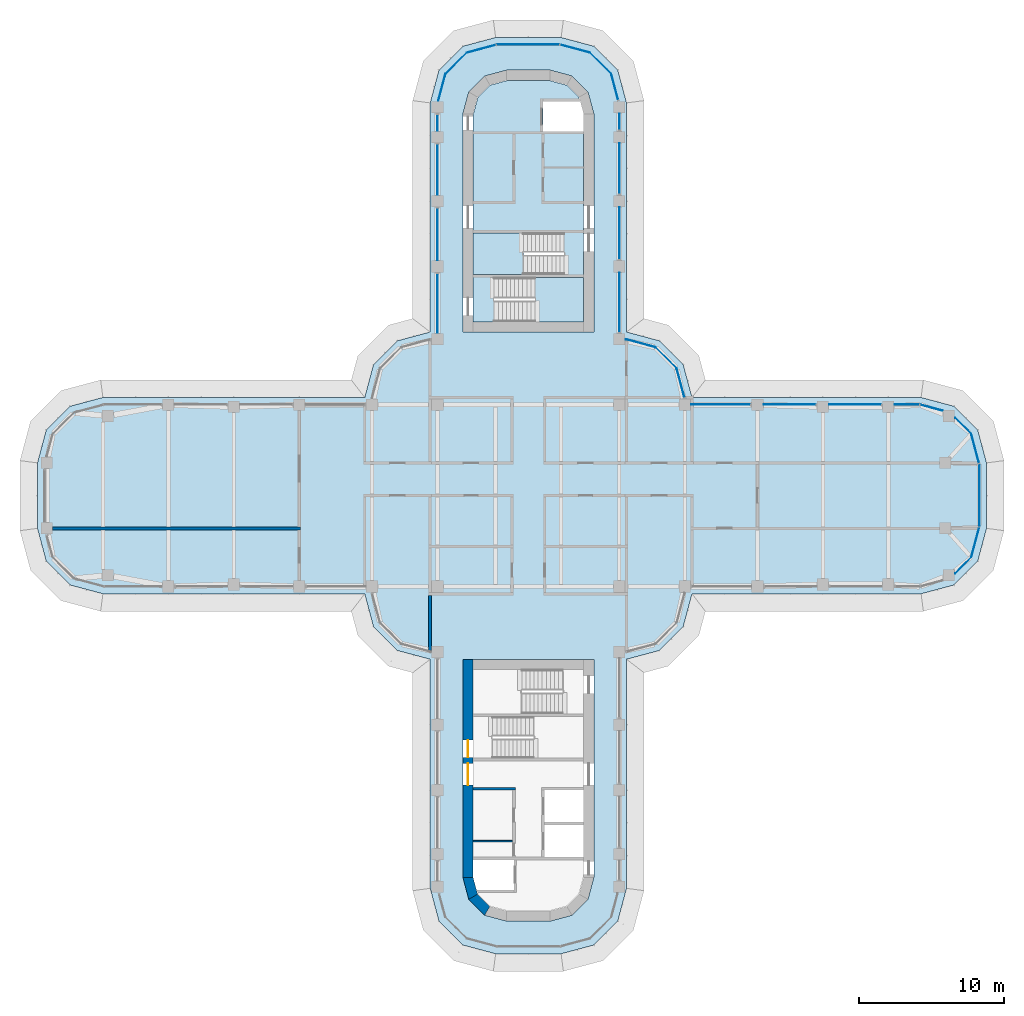
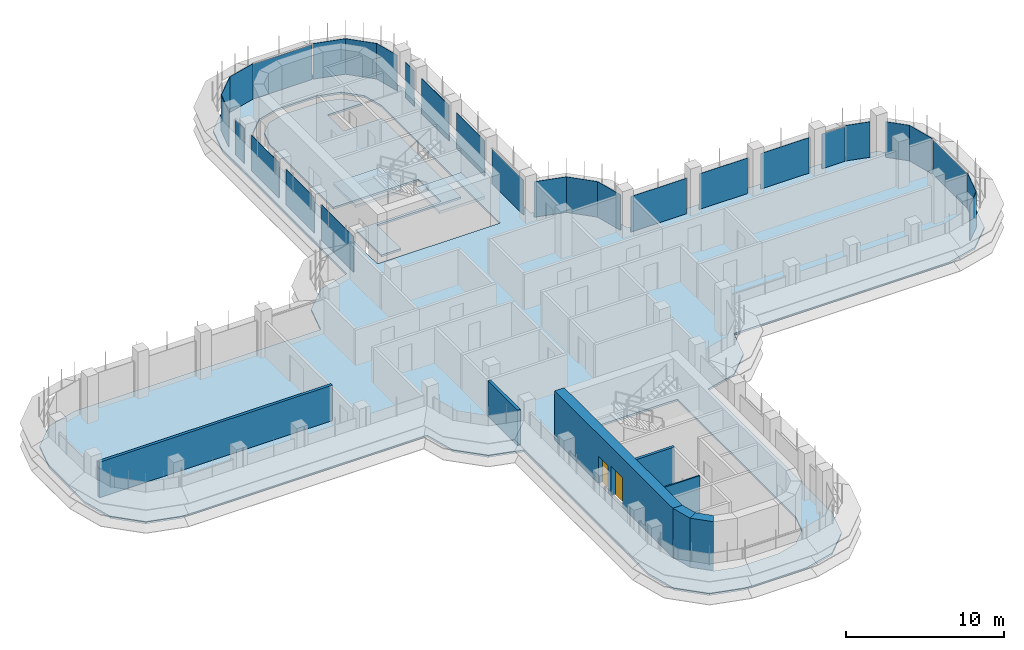
# One storey, part 12 of 19: 28 plates, 7 walls, 4 slabs, 2 doors, 2 openings, 21 elements without a shape of their own.
"""IFC4 building model written with IfcOpenShell, lengths in metres."""

from ifc_helpers import new_model, si_unit, direction, frame, frame_2d, origin, place, context, subcontext, project, spatial, polyline, rectangle, outline, extrude, source, transform, mapped, material, layer, layer_set, type_object, element, fill, aggregate, save


model = new_model("IFC4")

# Units and contexts
model_context = context("Model", 3, precision=1e-05, world=origin(), true_north=direction((0.0, 1.0)))
body_context = subcontext(model_context, "Body", "Model", "MODEL_VIEW")
ifc_project = project(units=[si_unit("LENGTHUNIT", "METRE"), si_unit("AREAUNIT", "SQUARE_METRE"), si_unit("VOLUMEUNIT", "CUBIC_METRE"), si_unit("PLANEANGLEUNIT", "RADIAN"), si_unit("MASSUNIT", "GRAM", prefix="KILO")], contexts=[model_context])

# Site, building, storey
site_placement = place(None, origin())
site = spatial("IfcSite", under=ifc_project, at=site_placement, CompositionType="ELEMENT")
building_placement = place(site_placement, origin())
building = spatial("IfcBuilding", under=site, at=building_placement, Name="Zarbagh Exchange Tower", CompositionType="ELEMENT")
storey_placement = place(building_placement, frame((0.0, 0.0, 182.800048828125)))
storey = spatial("IfcBuildingStorey", under=building, at=storey_placement, Name="L44", CompositionType="ELEMENT", Elevation=182.800048828125)

# Slabs
ifc_material_1 = material(Name="Concrete C40/50", Category="concrete")
ifc_layer_1 = layer(ifc_material_1, 0.14990234375)
ifc_layer_set_1 = layer_set([ifc_layer_1], Name="Composite floor slab 150 C40/50")
slab_type_1 = type_object("IfcSlabType", Name="Composite floor slab 150 C40/50", PredefinedType="FLOOR", material=ifc_layer_set_1)
slab_1_placement = place(storey_placement, frame((0.0, 0.0, -0.150146484375)))
element("IfcSlab", 1, at=slab_1_placement, inside=storey, type_object=slab_type_1, Name="S5 composite floor slab", PredefinedType="FLOOR", context=body_context, shape_type="SweptSolid", body=[
    extrude(outline(polyline([(-2.25, -31.5), (-4.5, -30.897216796875), (-6.147216796875, -29.25), (-6.75, -27.0), (-6.75, -11.25), (-9.0, -10.647216796875), (-10.647216796875, -9.0), (-11.25, -6.75), (-29.25, -6.75), (-31.5, -6.147216796875), (-33.147216796875, -4.5), (-33.75, -2.25), (-33.75, 2.25), (-33.147216796875, 4.5), (-31.5, 6.147216796875), (-29.25, 6.75), (-11.25, 6.75), (-10.647216796875, 9.0), (-9.0, 10.647216796875), (-6.75, 11.25), (-6.75, 27.0), (-6.147216796875, 29.25), (-4.5, 30.897216796875), (-2.25, 31.5), (2.25, 31.5), (4.5, 30.897216796875), (6.147216796875, 29.25), (6.75, 27.0), (6.75, 11.25), (9.0, 10.647216796875), (10.647216796875, 9.0), (11.25, 6.75), (27.0, 6.75), (29.25, 6.147216796875), (30.897216796875, 4.5), (31.5, 2.25), (31.5, -2.25), (30.897216796875, -4.5), (29.25, -6.147216796875), (27.0, -6.75), (11.25, -6.75), (10.647216796875, -9.0), (9.0, -10.647216796875), (6.75, -11.25), (6.75, -27.0), (6.147216796875, -29.25), (4.5, -30.897216796875), (2.25, -31.5), (-2.25, -31.5)]), holes=[polyline([(4.5, 11.25), (4.5, 26.25), (4.09814453125, 27.75), (3.0, 28.84814453125), (1.5, 29.25), (-1.5, 29.25), (-3.0, 28.84814453125), (-4.09814453125, 27.75), (-4.5, 26.25), (-4.5, 11.25), (4.5, 11.25)]), polyline([(-1.5, -29.25), (1.5, -29.25), (3.0, -28.84814453125), (4.09814453125, -27.75), (4.5, -26.25), (4.5, -11.25), (-4.5, -11.25), (-4.5, -26.25), (-4.09814453125, -27.75), (-3.0, -28.84814453125), (-1.5, -29.25)])]), origin(), (0.0, 0.0, 1.0), 0.150146484375),
])
ifc_layer_2 = layer(ifc_material_1, 0.14990234375)
ifc_layer_set_2 = layer_set([ifc_layer_2], Name="Core floor slab 150 C40/50")
slab_type_2 = type_object("IfcSlabType", Name="Core floor slab 150 C40/50", PredefinedType="FLOOR", material=ifc_layer_set_2)
slab_2_placement = place(storey_placement, frame((0.0, 0.0, -0.150146484375)))
element("IfcSlab", 2, at=slab_2_placement, inside=storey, type_object=slab_type_2, Name="S17 core N", PredefinedType="FLOOR", context=body_context, shape_type="SweptSolid", body=[
    extrude(outline(polyline([(-3.800048828125, 11.949951171875), (-3.800048828125, 15.199951171875), (2.449951171875, 15.199951171875), (2.449951171875, 18.050048828125), (-3.800048828125, 18.050048828125), (-3.800048828125, 26.15771484375), (-3.470458984375, 27.3876953125), (-2.6376953125, 28.220458984375), (-1.40771484375, 28.550048828125), (1.40771484375, 28.550048828125), (2.6376953125, 28.220458984375), (3.470458984375, 27.3876953125), (3.800048828125, 26.15771484375), (3.800048828125, 26.15771484375), (3.547607421875, 27.10009765625), (1.0, 27.10009765625), (1.0, 25.050048828125), (3.800048828125, 25.050048828125), (3.800048828125, 15.0), (-2.35009765625, 15.0), (-2.35009765625, 11.949951171875), (-3.800048828125, 11.949951171875)])), origin(), (0.0, 0.0, 1.0), 0.150146484375),
])

# Stair, slab
stair_type = type_object("IfcStairType", Name="Exit stair two-flight half-turn", PredefinedType="HALF_TURN_STAIR", material=ifc_material_1)
stair_1_placement = place(storey_placement, origin())
stair_1 = element("IfcStair", 3, at=stair_1_placement, inside=storey, type_object=stair_type, Name="exit stair ST1", PredefinedType="HALF_TURN_STAIR")
ifc_layer_3 = layer(ifc_material_1, 0.199951171875)
ifc_layer_set_3 = layer_set([ifc_layer_3], Name="Stair landing 200 mm")
slab_type_3 = type_object("IfcSlabType", Name="Stair landing 200 mm", PredefinedType="LANDING", material=ifc_layer_set_3)
slab_3_placement = place(storey_placement, frame((0.0, 0.0, 1.699951171875)))
slab_3 = element("IfcSlab", 4, at=slab_3_placement, type_object=slab_type_3, Name="ST1 landing 1", PredefinedType="LANDING", context=body_context, shape_type="SweptSolid", body=[
    extrude(outline(polyline([(-0.35009765625, 18.050048828125), (-3.800048828125, 18.050048828125), (-3.800048828125, 15.199951171875), (-0.35009765625, 15.199951171875), (-0.35009765625, 18.050048828125)])), origin(), (0.0, 0.0, 1.0), 0.199951171875),
])
aggregate(stair_1, [slab_3])

stair_2_placement = place(storey_placement, origin())
stair_2 = element("IfcStair", 5, at=stair_2_placement, inside=storey, type_object=stair_type, Name="exit stair ST2", PredefinedType="HALF_TURN_STAIR")
slab_4_placement = place(storey_placement, frame((0.0, 0.0, 1.699951171875)))
slab_4 = element("IfcSlab", 6, at=slab_4_placement, type_object=slab_type_3, Name="ST2 landing 1", PredefinedType="LANDING", context=body_context, shape_type="SweptSolid", body=[
    extrude(outline(polyline([(0.449951171875, 11.949951171875), (3.800048828125, 11.949951171875), (3.800048828125, 15.0), (0.449951171875, 15.0), (0.449951171875, 11.949951171875)])), origin(), (0.0, 0.0, 1.0), 0.199951171875),
])
aggregate(stair_2, [slab_4])

# Curtain wall, plate
ifc_material_2 = material(Name="Anodised aluminium frame and glazing", Category="aluminium")
curtain_wall_type = type_object("IfcCurtainWallType", Name="CWB Ribbon glazing, upper zones", PredefinedType="NOTDEFINED", material=ifc_material_2)
curtain_wall_1_placement = place(storey_placement, origin())
curtain_wall_1 = element("IfcCurtainWall", 7, at=curtain_wall_1_placement, inside=storey, type_object=curtain_wall_type, Name="CWB18 curtain wall", PredefinedType="NOTDEFINED")
ifc_material_3 = material(Name="Low-e double glazed unit, 6+12+6 mm")
ifc_layer_4 = layer(ifc_material_3, 0.031982421875)
ifc_layer_set_4 = layer_set([ifc_layer_4], Name="PAB Glazing panel, Low-e double glazed unit, 6+12+6 mm")
plate_type = type_object("IfcPlateType", Name="PAB Glazing panel, Low-e double glazed unit, 6+12+6 mm", PredefinedType="CURTAIN_PANEL", material=ifc_layer_set_4)
shared_shape_1 = source(origin(), body_context, "Body", "SweptSolid", [
    extrude(outline(polyline([(0.0, -0.01611328125), (2.061279296875, -0.01611328125), (2.061279296875, 0.01611328125), (0.0, 0.01611328125), (0.0, -0.01611328125)])), origin(), (0.0, 0.0, 1.0), 2.75),
])
placement = place(storey_placement, origin())
plate_1 = element("IfcPlate", 8, at=placement, type_object=plate_type, Name="CWB18 glazing panel 1.1", PredefinedType="CURTAIN_PANEL", context=body_context, shape_type="MappedRepresentation", body=[
    mapped(shared_shape_1, transform((10.19873046875, 8.7412109375, 0.0), x_axis=(-0.707106781187, 0.707106781187, 0.0), y_axis=(-0.707106781187, -0.707106781187, 0.0), z_axis=(0.0, 0.0, 1.0))),
])
aggregate(curtain_wall_1, [plate_1])

curtain_wall_2_placement = place(storey_placement, origin())
curtain_wall_2 = element("IfcCurtainWall", 9, at=curtain_wall_2_placement, inside=storey, type_object=curtain_wall_type, Name="CWB22 curtain wall", PredefinedType="NOTDEFINED")
plate_2 = element("IfcPlate", 10, at=placement, type_object=plate_type, Name="CWB22 glazing panel 1.1", PredefinedType="CURTAIN_PANEL", context=body_context, shape_type="MappedRepresentation", body=[
    mapped(shared_shape_1, transform((5.69873046875, 28.9912109375, 0.0), x_axis=(-0.707106781187, 0.707106781187, 0.0), y_axis=(-0.707106781187, -0.707106781187, 0.0), z_axis=(0.0, 0.0, 1.0))),
])
aggregate(curtain_wall_2, [plate_2])

curtain_wall_3_placement = place(storey_placement, origin())
curtain_wall_3 = element("IfcCurtainWall", 11, at=curtain_wall_3_placement, inside=storey, type_object=curtain_wall_type, Name="CWB26 curtain wall", PredefinedType="NOTDEFINED")
plate_3 = element("IfcPlate", 12, at=placement, type_object=plate_type, Name="CWB26 glazing panel 1.1", PredefinedType="CURTAIN_PANEL", context=body_context, shape_type="MappedRepresentation", body=[
    mapped(shared_shape_1, transform((-4.2412109375, 30.44873046875, 0.0), x_axis=(-0.707106781187, -0.707106781187, 0.0), y_axis=(0.707106781187, -0.707106781187, 0.0), z_axis=(0.0, 0.0, 1.0))),
])
aggregate(curtain_wall_3, [plate_3])

curtain_wall_4_placement = place(storey_placement, origin())
curtain_wall_4 = element("IfcCurtainWall", 13, at=curtain_wall_4_placement, inside=storey, type_object=curtain_wall_type, Name="CWB11 curtain wall", PredefinedType="NOTDEFINED")
shared_shape_2 = source(origin(), body_context, "Body", "SweptSolid", [
    extrude(outline(polyline([(0.0, -0.01611328125), (2.129638671875, -0.01611328125), (2.129638671875, 0.01611328125), (0.0, 0.01611328125), (0.0, -0.01611328125)])), origin(), (0.0, 0.0, 1.0), 2.75),
])
plate_4 = element("IfcPlate", 14, at=placement, type_object=plate_type, Name="CWB11 glazing panel 1.1", PredefinedType="CURTAIN_PANEL", context=body_context, shape_type="MappedRepresentation", body=[
    mapped(shared_shape_2, transform((30.44873046875, -4.2412109375, 0.0), x_axis=(0.258824779902, 0.965924289636, 0.0), y_axis=(-0.965924289636, 0.258824779902, 0.0), z_axis=(0.0, 0.0, 1.0))),
])
aggregate(curtain_wall_4, [plate_4])

curtain_wall_5_placement = place(storey_placement, origin())
curtain_wall_5 = element("IfcCurtainWall", 15, at=curtain_wall_5_placement, inside=storey, type_object=curtain_wall_type, Name="CWB23 curtain wall", PredefinedType="NOTDEFINED")
plate_5 = element("IfcPlate", 16, at=placement, type_object=plate_type, Name="CWB23 glazing panel 1.1", PredefinedType="CURTAIN_PANEL", context=body_context, shape_type="MappedRepresentation", body=[
    mapped(shared_shape_2, transform((4.2412109375, 30.44873046875, 0.0), x_axis=(-0.965924289636, 0.258824779902, 0.0), y_axis=(-0.258824779902, -0.965924289636, 0.0), z_axis=(0.0, 0.0, 1.0))),
])
aggregate(curtain_wall_5, [plate_5])

curtain_wall_6_placement = place(storey_placement, origin())
curtain_wall_6 = element("IfcCurtainWall", 17, at=curtain_wall_6_placement, inside=storey, type_object=curtain_wall_type, Name="CWB20 curtain wall", PredefinedType="NOTDEFINED")
shared_shape_3 = source(origin(), body_context, "Body", "SweptSolid", [
    extrude(outline(polyline([(0.0, -0.01611328125), (3.4599609375, -0.01611328125), (3.4599609375, 0.01611328125), (0.0, 0.01611328125), (0.0, -0.01611328125)])), origin(), (0.0, 0.0, 1.0), 2.75),
])
plate_6 = element("IfcPlate", 18, at=placement, type_object=plate_type, Name="CWB20 glazing panel 3.1", PredefinedType="CURTAIN_PANEL", context=body_context, shape_type="MappedRepresentation", body=[
    mapped(shared_shape_3, transform((6.25, 20.75, 0.0), x_axis=(0.0, 1.0, 0.0), y_axis=(-1.0, 0.0, 0.0), z_axis=(0.0, 0.0, 1.0))),
])

curtain_wall_7_placement = place(storey_placement, origin())
curtain_wall_7 = element("IfcCurtainWall", 19, at=curtain_wall_7_placement, inside=storey, type_object=curtain_wall_type, Name="CWB28 curtain wall", PredefinedType="NOTDEFINED")
plate_7 = element("IfcPlate", 20, at=placement, type_object=plate_type, Name="CWB28 glazing panel 2.1", PredefinedType="CURTAIN_PANEL", context=body_context, shape_type="MappedRepresentation", body=[
    mapped(shared_shape_3, transform((-6.25, 24.14990234375, 0.0), x_axis=(0.0, -1.0, 0.0), y_axis=(1.0, 0.0, 0.0), z_axis=(0.0, 0.0, 1.0))),
])

# Curtain wall, plates
curtain_wall_8_placement = place(storey_placement, origin())
curtain_wall_8 = element("IfcCurtainWall", 21, at=curtain_wall_8_placement, inside=storey, type_object=curtain_wall_type, Name="CWB16 curtain wall", PredefinedType="NOTDEFINED")
shared_shape_4 = source(origin(), body_context, "Body", "SweptSolid", [
    extrude(outline(polyline([(0.0, -0.01611328125), (3.56005859375, -0.01611328125), (3.56005859375, 0.01611328125), (0.0, 0.01611328125), (0.0, -0.01611328125)])), origin(), (0.0, 0.0, 1.0), 2.75),
])
plate_8 = element("IfcPlate", 22, at=placement, type_object=plate_type, Name="CWB16 glazing panel 2.1", PredefinedType="CURTAIN_PANEL", context=body_context, shape_type="MappedRepresentation", body=[
    mapped(shared_shape_4, transform((24.25, 6.25, 0.0), x_axis=(-1.0, 0.0, 0.0), y_axis=(0.0, -1.0, 0.0), z_axis=(0.0, 0.0, 1.0))),
])
plate_9 = element("IfcPlate", 23, at=placement, type_object=plate_type, Name="CWB16 glazing panel 3.1", PredefinedType="CURTAIN_PANEL", context=body_context, shape_type="MappedRepresentation", body=[
    mapped(shared_shape_4, transform((19.75, 6.25, 0.0), x_axis=(-1.0, 0.0, 0.0), y_axis=(0.0, -1.0, 0.0), z_axis=(0.0, 0.0, 1.0))),
])

# Plate
plate_10 = element("IfcPlate", 24, at=placement, type_object=plate_type, Name="CWB20 glazing panel 2.1", PredefinedType="CURTAIN_PANEL", context=body_context, shape_type="MappedRepresentation", body=[
    mapped(shared_shape_4, transform((6.25, 16.25, 0.0), x_axis=(0.0, 1.0, 0.0), y_axis=(-1.0, 0.0, 0.0), z_axis=(0.0, 0.0, 1.0))),
])

plate_11 = element("IfcPlate", 25, at=placement, type_object=plate_type, Name="CWB28 glazing panel 3.1", PredefinedType="CURTAIN_PANEL", context=body_context, shape_type="MappedRepresentation", body=[
    mapped(shared_shape_4, transform((-6.25, 19.75, 0.0), x_axis=(0.0, -1.0, 0.0), y_axis=(1.0, 0.0, 0.0), z_axis=(0.0, 0.0, 1.0))),
])

shared_shape_5 = source(origin(), body_context, "Body", "SweptSolid", [
    extrude(outline(polyline([(0.0, -0.01611328125), (4.06005859375, -0.01611328125), (4.06005859375, 0.01611328125), (0.0, 0.01611328125), (0.0, -0.01611328125)])), origin(), (0.0, 0.0, 1.0), 2.75),
])
plate_12 = element("IfcPlate", 26, at=placement, type_object=plate_type, Name="CWB16 glazing panel 4.1", PredefinedType="CURTAIN_PANEL", context=body_context, shape_type="MappedRepresentation", body=[
    mapped(shared_shape_5, transform((15.25, 6.25, 0.0), x_axis=(-1.0, 0.0, 0.0), y_axis=(0.0, -1.0, 0.0), z_axis=(0.0, 0.0, 1.0))),
])

plate_13 = element("IfcPlate", 27, at=placement, type_object=plate_type, Name="CWB28 glazing panel 4.1", PredefinedType="CURTAIN_PANEL", context=body_context, shape_type="MappedRepresentation", body=[
    mapped(shared_shape_5, transform((-6.25, 15.25, 0.0), x_axis=(0.0, -1.0, 0.0), y_axis=(1.0, 0.0, 0.0), z_axis=(0.0, 0.0, 1.0))),
])

# Curtain wall, plate
curtain_wall_9_placement = place(storey_placement, origin())
curtain_wall_9 = element("IfcCurtainWall", 28, at=curtain_wall_9_placement, inside=storey, type_object=curtain_wall_type, Name="CWB17 curtain wall", PredefinedType="NOTDEFINED")
shared_shape_6 = source(origin(), body_context, "Body", "SweptSolid", [
    extrude(outline(polyline([(0.0, -0.01611328125), (2.063720703125, -0.01611328125), (2.063720703125, 0.01611328125), (0.0, 0.01611328125), (0.0, -0.01611328125)])), origin(), (0.0, 0.0, 1.0), 2.75),
])
plate_14 = element("IfcPlate", 29, at=placement, type_object=plate_type, Name="CWB17 glazing panel 1.1", PredefinedType="CURTAIN_PANEL", context=body_context, shape_type="MappedRepresentation", body=[
    mapped(shared_shape_6, transform((10.73291015625, 6.748046875, 0.0), x_axis=(-0.258824779902, 0.965924289636, 0.0), y_axis=(-0.965924289636, -0.258824779902, 0.0), z_axis=(0.0, 0.0, 1.0))),
])
aggregate(curtain_wall_9, [plate_14])

curtain_wall_10_placement = place(storey_placement, origin())
curtain_wall_10 = element("IfcCurtainWall", 30, at=curtain_wall_10_placement, inside=storey, type_object=curtain_wall_type, Name="CWB19 curtain wall", PredefinedType="NOTDEFINED")
shared_shape_7 = source(origin(), body_context, "Body", "SweptSolid", [
    extrude(outline(polyline([(0.0, -0.01611328125), (2.12353515625, -0.01611328125), (2.12353515625, 0.01611328125), (0.0, 0.01611328125), (0.0, -0.01611328125)])), origin(), (0.0, 0.0, 1.0), 2.75),
])
plate_15 = element("IfcPlate", 31, at=placement, type_object=plate_type, Name="CWB19 glazing panel 1.1", PredefinedType="CURTAIN_PANEL", context=body_context, shape_type="MappedRepresentation", body=[
    mapped(shared_shape_7, transform((8.7412109375, 10.19873046875, 0.0), x_axis=(-0.965924289636, 0.258824779902, 0.0), y_axis=(-0.258824779902, -0.965924289636, 0.0), z_axis=(0.0, 0.0, 1.0))),
])
aggregate(curtain_wall_10, [plate_15])

# Plate
shared_shape_8 = source(origin(), body_context, "Body", "SweptSolid", [
    extrude(outline(polyline([(0.0, -0.01611328125), (4.06005859375, -0.01611328125), (4.06005859375, 0.01611328125), (0.0, 0.01611328125), (0.0, -0.01611328125)])), origin(), (0.0, 0.0, 1.0), 2.68994140625),
])
plate_16 = element("IfcPlate", 32, at=placement, type_object=plate_type, Name="CWB20 glazing panel 1.1", PredefinedType="CURTAIN_PANEL", context=body_context, shape_type="MappedRepresentation", body=[
    mapped(shared_shape_8, transform((6.25, 11.25, 0.0), x_axis=(0.0, 1.0, 0.0), y_axis=(-1.0, 0.0, 0.0), z_axis=(0.0, 0.0, 1.0))),
])

# Curtain wall, plate
curtain_wall_11_placement = place(storey_placement, origin())
curtain_wall_11 = element("IfcCurtainWall", 33, at=curtain_wall_11_placement, inside=storey, type_object=curtain_wall_type, Name="CWB10 curtain wall", PredefinedType="NOTDEFINED")
shared_shape_9 = source(origin(), body_context, "Body", "SweptSolid", [
    extrude(outline(polyline([(0.0, -0.01611328125), (1.556884765625, -0.01611328125), (1.556884765625, 0.01611328125), (0.0, 0.01611328125), (0.0, -0.01611328125)])), origin(), (0.0, 0.0, 1.0), 2.75),
])
plate_17 = element("IfcPlate", 34, at=placement, type_object=plate_type, Name="CWB10 glazing panel 1.1", PredefinedType="CURTAIN_PANEL", context=body_context, shape_type="MappedRepresentation", body=[
    mapped(shared_shape_9, transform((29.347900390625, -5.342041015625, 0.0), x_axis=(0.707106781187, 0.707106781187, 0.0), y_axis=(-0.707106781187, 0.707106781187, 0.0), z_axis=(0.0, 0.0, 1.0))),
])
aggregate(curtain_wall_11, [plate_17])

curtain_wall_12_placement = place(storey_placement, origin())
curtain_wall_12 = element("IfcCurtainWall", 35, at=curtain_wall_12_placement, inside=storey, type_object=curtain_wall_type, Name="CWB14 curtain wall", PredefinedType="NOTDEFINED")
plate_18 = element("IfcPlate", 36, at=placement, type_object=plate_type, Name="CWB14 glazing panel 1.1", PredefinedType="CURTAIN_PANEL", context=body_context, shape_type="MappedRepresentation", body=[
    mapped(shared_shape_9, transform((30.44873046875, 4.2412109375, 0.0), x_axis=(-0.707106781187, 0.707106781187, 0.0), y_axis=(-0.707106781187, -0.707106781187, 0.0), z_axis=(0.0, 0.0, 1.0))),
])
aggregate(curtain_wall_12, [plate_18])

curtain_wall_13_placement = place(storey_placement, origin())
curtain_wall_13 = element("IfcCurtainWall", 37, at=curtain_wall_13_placement, inside=storey, type_object=curtain_wall_type, Name="CWB12 curtain wall", PredefinedType="NOTDEFINED")
shared_shape_10 = source(origin(), body_context, "Body", "SweptSolid", [
    extrude(outline(polyline([(0.0, -0.01611328125), (4.308349609375, -0.01611328125), (4.308349609375, 0.01611328125), (0.0, 0.01611328125), (0.0, -0.01611328125)])), origin(), (0.0, 0.0, 1.0), 2.68994140625),
])
plate_19 = element("IfcPlate", 38, at=placement, type_object=plate_type, Name="CWB12 glazing panel 1.1", PredefinedType="CURTAIN_PANEL", context=body_context, shape_type="MappedRepresentation", body=[
    mapped(shared_shape_10, transform((31.0, -2.124267578125, 0.0), x_axis=(0.0, 1.0, 0.0), y_axis=(-1.0, 0.0, 0.0), z_axis=(0.0, 0.0, 1.0))),
])
aggregate(curtain_wall_13, [plate_19])

curtain_wall_14_placement = place(storey_placement, origin())
curtain_wall_14 = element("IfcCurtainWall", 39, at=curtain_wall_14_placement, inside=storey, type_object=curtain_wall_type, Name="CWB24 curtain wall", PredefinedType="NOTDEFINED")
plate_20 = element("IfcPlate", 40, at=placement, type_object=plate_type, Name="CWB24 glazing panel 1.1", PredefinedType="CURTAIN_PANEL", context=body_context, shape_type="MappedRepresentation", body=[
    mapped(shared_shape_10, transform((2.124267578125, 31.0, 0.0), x_axis=(-1.0, 0.0, 0.0), y_axis=(0.0, -1.0, 0.0), z_axis=(0.0, 0.0, 1.0))),
])
aggregate(curtain_wall_14, [plate_20])

curtain_wall_15_placement = place(storey_placement, origin())
curtain_wall_15 = element("IfcCurtainWall", 41, at=curtain_wall_15_placement, inside=storey, type_object=curtain_wall_type, Name="CWB13 curtain wall", PredefinedType="NOTDEFINED")
shared_shape_11 = source(origin(), body_context, "Body", "SweptSolid", [
    extrude(outline(polyline([(0.0, -0.01611328125), (2.069580078125, -0.01611328125), (2.069580078125, 0.01611328125), (0.0, 0.01611328125), (0.0, -0.01611328125)])), origin(), (0.0, 0.0, 1.0), 2.75),
])
plate_21 = element("IfcPlate", 42, at=placement, type_object=plate_type, Name="CWB13 glazing panel 1.1", PredefinedType="CURTAIN_PANEL", context=body_context, shape_type="MappedRepresentation", body=[
    mapped(shared_shape_11, transform((30.984375, 2.2421875, 0.0), x_axis=(-0.258824779902, 0.965924289636, 0.0), y_axis=(-0.965924289636, -0.258824779902, 0.0), z_axis=(0.0, 0.0, 1.0))),
])
aggregate(curtain_wall_15, [plate_21])

curtain_wall_16_placement = place(storey_placement, origin())
curtain_wall_16 = element("IfcCurtainWall", 43, at=curtain_wall_16_placement, inside=storey, type_object=curtain_wall_type, Name="CWB25 curtain wall", PredefinedType="NOTDEFINED")
plate_22 = element("IfcPlate", 44, at=placement, type_object=plate_type, Name="CWB25 glazing panel 1.1", PredefinedType="CURTAIN_PANEL", context=body_context, shape_type="MappedRepresentation", body=[
    mapped(shared_shape_11, transform((-2.2421875, 30.984375, 0.0), x_axis=(-0.965924289636, -0.258824779902, 0.0), y_axis=(0.258824779902, -0.965924289636, 0.0), z_axis=(0.0, 0.0, 1.0))),
])
aggregate(curtain_wall_16, [plate_22])

curtain_wall_17_placement = place(storey_placement, origin())
curtain_wall_17 = element("IfcCurtainWall", 45, at=curtain_wall_17_placement, inside=storey, type_object=curtain_wall_type, Name="CWB15 curtain wall", PredefinedType="NOTDEFINED")
shared_shape_12 = source(origin(), body_context, "Body", "SweptSolid", [
    extrude(outline(polyline([(0.0, -0.01611328125), (1.587890625, -0.01611328125), (1.587890625, 0.01611328125), (0.0, 0.01611328125), (0.0, -0.01611328125)])), origin(), (0.0, 0.0, 1.0), 2.75),
])
plate_23 = element("IfcPlate", 46, at=placement, type_object=plate_type, Name="CWB15 glazing panel 1.1", PredefinedType="CURTAIN_PANEL", context=body_context, shape_type="MappedRepresentation", body=[
    mapped(shared_shape_12, transform((28.468017578125, 5.839111328125, 0.0), x_axis=(-0.965924289636, 0.258824779902, 0.0), y_axis=(-0.258824779902, -0.965924289636, 0.0), z_axis=(0.0, 0.0, 1.0))),
])
aggregate(curtain_wall_17, [plate_23])

# Plate
shared_shape_13 = source(origin(), body_context, "Body", "SweptSolid", [
    extrude(outline(polyline([(0.0, -0.01611328125), (1.68408203125, -0.01611328125), (1.68408203125, 0.01611328125), (0.0, 0.01611328125), (0.0, -0.01611328125)])), origin(), (0.0, 0.0, 1.0), 2.68994140625),
])
plate_24 = element("IfcPlate", 47, at=placement, type_object=plate_type, Name="CWB16 glazing panel 1.1", PredefinedType="CURTAIN_PANEL", context=body_context, shape_type="MappedRepresentation", body=[
    mapped(shared_shape_13, transform((26.874267578125, 6.25, 0.0), x_axis=(-1.0, 0.0, 0.0), y_axis=(0.0, -1.0, 0.0), z_axis=(0.0, 0.0, 1.0))),
])

aggregate(curtain_wall_8, [plate_24, plate_8, plate_9, plate_12])

shared_shape_14 = source(origin(), body_context, "Body", "SweptSolid", [
    extrude(outline(polyline([(0.0, -0.01611328125), (1.110107421875, -0.01611328125), (1.110107421875, 0.01611328125), (0.0, 0.01611328125), (0.0, -0.01611328125)])), origin(), (0.0, 0.0, 1.0), 2.75),
])
plate_25 = element("IfcPlate", 48, at=placement, type_object=plate_type, Name="CWB20 glazing panel 4.1", PredefinedType="CURTAIN_PANEL", context=body_context, shape_type="MappedRepresentation", body=[
    mapped(shared_shape_14, transform((6.25, 25.150146484375, 0.0), x_axis=(0.0, 1.0, 0.0), y_axis=(-1.0, 0.0, 0.0), z_axis=(0.0, 0.0, 1.0))),
])

aggregate(curtain_wall_6, [plate_16, plate_10, plate_6, plate_25])

# Curtain wall, plate
curtain_wall_18_placement = place(storey_placement, origin())
curtain_wall_18 = element("IfcCurtainWall", 49, at=curtain_wall_18_placement, inside=storey, type_object=curtain_wall_type, Name="CWB21 curtain wall", PredefinedType="NOTDEFINED")
shared_shape_15 = source(origin(), body_context, "Body", "SweptSolid", [
    extrude(outline(polyline([(0.0, -0.01611328125), (1.8564453125, -0.01611328125), (1.8564453125, 0.01611328125), (0.0, 0.01611328125), (0.0, -0.01611328125)])), origin(), (0.0, 0.0, 1.0), 2.75),
])
plate_26 = element("IfcPlate", 50, at=placement, type_object=plate_type, Name="CWB21 glazing panel 1.1", PredefinedType="CURTAIN_PANEL", context=body_context, shape_type="MappedRepresentation", body=[
    mapped(shared_shape_15, transform((6.17919921875, 27.197998046875, 0.0), x_axis=(-0.258824779902, 0.965924289636, 0.0), y_axis=(-0.965924289636, -0.258824779902, 0.0), z_axis=(0.0, 0.0, 1.0))),
])
aggregate(curtain_wall_18, [plate_26])

curtain_wall_19_placement = place(storey_placement, origin())
curtain_wall_19 = element("IfcCurtainWall", 51, at=curtain_wall_19_placement, inside=storey, type_object=curtain_wall_type, Name="CWB27 curtain wall", PredefinedType="NOTDEFINED")
shared_shape_16 = source(origin(), body_context, "Body", "SweptSolid", [
    extrude(outline(polyline([(0.0, -0.01611328125), (1.91650390625, -0.01611328125), (1.91650390625, 0.01611328125), (0.0, 0.01611328125), (0.0, -0.01611328125)])), origin(), (0.0, 0.0, 1.0), 2.75),
])
plate_27 = element("IfcPlate", 52, at=placement, type_object=plate_type, Name="CWB27 glazing panel 1.1", PredefinedType="CURTAIN_PANEL", context=body_context, shape_type="MappedRepresentation", body=[
    mapped(shared_shape_16, transform((-5.69873046875, 28.9912109375, 0.0), x_axis=(-0.258824779902, -0.965924289636, 0.0), y_axis=(0.965924289636, -0.258824779902, 0.0), z_axis=(0.0, 0.0, 1.0))),
])
aggregate(curtain_wall_19, [plate_27])

# Plate
shared_shape_17 = source(origin(), body_context, "Body", "SweptSolid", [
    extrude(outline(polyline([(0.0, -0.01611328125), (1.110107421875, -0.01611328125), (1.110107421875, 0.01611328125), (0.0, 0.01611328125), (0.0, -0.01611328125)])), origin(), (0.0, 0.0, 1.0), 2.68994140625),
])
plate_28 = element("IfcPlate", 53, at=placement, type_object=plate_type, Name="CWB28 glazing panel 1.1", PredefinedType="CURTAIN_PANEL", context=body_context, shape_type="MappedRepresentation", body=[
    mapped(shared_shape_17, transform((-6.25, 26.199951171875, 0.0), x_axis=(0.0, -1.0, 0.0), y_axis=(1.0, 0.0, 0.0), z_axis=(0.0, 0.0, 1.0))),
])

aggregate(curtain_wall_7, [plate_28, plate_7, plate_11, plate_13])

# Walls
ifc_material_4 = material(Name="Dense blockwork", Category="masonry")
ifc_layer_5 = layer(ifc_material_4, 0.10009765625)
ifc_layer_set_5 = layer_set([ifc_layer_5], Name="Core partition 100 mm blockwork")
wall_type_1 = type_object("IfcWallType", Name="Core partition 100 mm blockwork", PredefinedType="PARTITIONING", material=ifc_layer_set_5)
wall_1_placement = place(storey_placement, frame((-1.10009765625, -23.75, 0.0), z_axis=(0.0, 0.0, 1.0), x_axis=(-1.0, 0.0, 0.0)))
element("IfcWall", 54, at=wall_1_placement, inside=storey, type_object=wall_type_1, Name="South core partition wall CUT-E-460", PredefinedType="PARTITIONING", context=body_context, shape_type="SweptSolid", body=[
    extrude(rectangle(XDim=2.699951171875, YDim=0.10009765625, at=frame_2d((1.35009765625, 0.0))), origin(), (0.0, 0.0, 1.0), 3.64990234375),
])
ifc_material_5 = material(Name="Fire-rated plasterboard partition")
ifc_layer_6 = layer(ifc_material_5, 0.199951171875)
ifc_layer_set_6 = layer_set([ifc_layer_6], Name="RATED PARTITION 200")
wall_type_2 = type_object("IfcWallType", Name="RATED PARTITION 200", PredefinedType="PARTITIONING", material=ifc_layer_set_6)
wall_2_placement = place(storey_placement, frame((-6.75, -10.6298828125, 0.0), z_axis=(0.0, 0.0, 1.0), x_axis=(0.0, 1.0, 0.0)))
element("IfcWall", 55, at=wall_2_placement, inside=storey, type_object=wall_type_2, Name="Partition W-1922", PredefinedType="PARTITIONING", context=body_context, shape_type="SweptSolid", body=[
    extrude(rectangle(XDim=3.77978515625, YDim=0.199951171875, at=frame_2d((1.889892578125, 0.0))), origin(), (0.0, 0.0, 1.0), 2.75),
])
wall_3_placement = place(storey_placement, frame((-32.7099609375, -2.25, 0.0), z_axis=(0.0, 0.0, 1.0), x_axis=(1.0, 0.0, 0.0)))
element("IfcWall", 56, at=wall_3_placement, inside=storey, type_object=wall_type_2, Name="Partition W-1946", PredefinedType="PARTITIONING", context=body_context, shape_type="SweptSolid", body=[
    extrude(rectangle(XDim=17.06005859375, YDim=0.199951171875, at=frame_2d((8.530029296875, 0.0))), origin(), (0.0, 0.0, 1.0), 2.75),
])
ifc_material_6 = material(Name="Concrete C50/60", Category="concrete")
ifc_layer_7 = layer(ifc_material_6, 0.699951171875)
ifc_layer_set_7 = layer_set([ifc_layer_7], Name="RC core corner wall 700 C50/60")
wall_type_3 = type_object("IfcWallType", Name="RC core corner wall 700 C50/60", PredefinedType="SHEAR", material=ifc_layer_set_7)
wall_4_placement = place(storey_placement, origin())
element("IfcWall", 57, at=wall_4_placement, inside=storey, type_object=wall_type_3, Name="CW6 core S corner W", PredefinedType="SHEAR", context=body_context, shape_type="SweptSolid", body=[
    extrude(outline(polyline([(-4.5, -26.25), (-4.09814453125, -27.75), (-3.491943359375, -27.39990234375), (-3.800048828125, -26.25), (-4.5, -26.25)])), origin(), (0.0, 0.0, 1.0), 3.800048828125),
])
wall_5_placement = place(storey_placement, origin())
element("IfcWall", 58, at=wall_5_placement, inside=storey, type_object=wall_type_3, Name="CW6 core S corner W", PredefinedType="SHEAR", context=body_context, shape_type="SweptSolid", body=[
    extrude(outline(polyline([(-4.09814453125, -27.75), (-3.0, -28.84814453125), (-2.64990234375, -28.241943359375), (-3.491943359375, -27.39990234375), (-4.09814453125, -27.75)])), origin(), (0.0, 0.0, 1.0), 3.800048828125),
])

# Wall, openings, doors
ifc_layer_8 = layer(ifc_material_6, 0.699951171875)
ifc_layer_set_8 = layer_set([ifc_layer_8], Name="RC core wall 700 C50/60")
wall_type_4 = type_object("IfcWallType", Name="RC core wall 700 C50/60", PredefinedType="SHEAR", material=ifc_layer_set_8)
wall_6_placement = place(storey_placement, frame((-4.14990234375, -11.25, 0.0), z_axis=(0.0, 0.0, 1.0), x_axis=(0.0, -1.0, 0.0)))
wall_6 = element("IfcWall", 59, at=wall_6_placement, inside=storey, type_object=wall_type_4, Name="CW5 core S W", PredefinedType="SHEAR", context=body_context, shape_type="SweptSolid", body=[
    extrude(rectangle(XDim=15.0, YDim=0.699951171875, at=frame_2d((7.5, 0.0))), origin(), (0.0, 0.0, 1.0), 3.800048828125),
])
opening_1_placement = place(wall_6_placement, frame((7.14990234375, 0.0, 0.0)))
opening_1 = element("IfcOpeningElement", 60, at=opening_1_placement, cuts=wall_6, Name="Opening CD1-1500", PredefinedType="OPENING", context=body_context, shape_type="SweptSolid", body=[
    extrude(rectangle(XDim=1.5, YDim=2.300048828125, at=frame_2d((0.75, 1.14990234375))), frame((0.0, 0.35986328125, 0.0), z_axis=(0.0, -1.0, 0.0), x_axis=(1.0, 0.0, 0.0)), (0.0, 0.0, 1.0), 0.719970703125),
])
opening_2_placement = place(wall_6_placement, frame((5.550048828125, 0.0, 0.0)))
opening_2 = element("IfcOpeningElement", 61, at=opening_2_placement, cuts=wall_6, Name="Opening SD1-1200", PredefinedType="OPENING", context=body_context, shape_type="SweptSolid", body=[
    extrude(rectangle(XDim=1.199951171875, YDim=2.10009765625, at=frame_2d((0.60009765625, 1.050048828125))), frame((0.0, 0.35986328125, 0.0), z_axis=(0.0, -1.0, 0.0), x_axis=(1.0, 0.0, 0.0)), (0.0, 0.0, 1.0), 0.719970703125),
])
ifc_material_7 = material(Name="Steel", Category="steel")
door_type_1 = type_object("IfcDoorType", Name="Exit stair door 1200 x 2100", OperationType="NOTDEFINED", PredefinedType="DOOR", material=ifc_material_7)
door_1_placement = place(opening_2_placement, origin())
door_1 = element("IfcDoor", 62, at=door_1_placement, inside=storey, type_object=door_type_1, Name="South core stair door ST1", OperationType="SINGLE_SWING_LEFT", OverallHeight=2.10009765625, OverallWidth=1.199951171875, PredefinedType="DOOR", context=body_context, shape_type="SweptSolid", body=[
    extrude(rectangle(XDim=1.199951171875, YDim=2.10009765625, at=frame_2d((0.60009765625, 1.050048828125))), frame((0.0, 0.02490234375, 0.0), z_axis=(0.0, -1.0, 0.0), x_axis=(1.0, 0.0, 0.0)), (0.0, 0.0, 1.0), 0.050048828125),
])
fill(opening_2, door_1)
door_type_2 = type_object("IfcDoorType", Name="Lift lobby double door 1500 x 2300", OperationType="NOTDEFINED", PredefinedType="DOOR", material=ifc_material_7)
door_2_placement = place(opening_1_placement, origin())
door_2 = element("IfcDoor", 63, at=door_2_placement, inside=storey, type_object=door_type_2, Name="South core lift lobby door LOBBY-E", OperationType="DOUBLE_DOOR_SINGLE_SWING", OverallHeight=2.300048828125, OverallWidth=1.5, PredefinedType="DOOR", context=body_context, shape_type="SweptSolid", body=[
    extrude(rectangle(XDim=1.5, YDim=2.300048828125, at=frame_2d((0.75, 1.14990234375))), frame((0.0, 0.02490234375, 0.0), z_axis=(0.0, -1.0, 0.0), x_axis=(1.0, 0.0, 0.0)), (0.0, 0.0, 1.0), 0.050048828125),
])
fill(opening_1, door_2)

# Wall
ifc_layer_9 = layer(ifc_material_4, 0.199951171875)
ifc_layer_set_9 = layer_set([ifc_layer_9], Name="Shaft wall 200 mm blockwork")
wall_type_5 = type_object("IfcWallType", Name="Shaft wall 200 mm blockwork", PredefinedType="PARTITIONING", material=ifc_layer_set_9)
wall_7_placement = place(storey_placement, frame((-0.89990234375, -20.14990234375, 0.0), z_axis=(0.0, 0.0, 1.0), x_axis=(-1.0, 0.0, 0.0)))
element("IfcWall", 64, at=wall_7_placement, inside=storey, type_object=wall_type_5, Name="South core shaft wall AB-E", PredefinedType="PARTITIONING", context=body_context, shape_type="SweptSolid", body=[
    extrude(rectangle(XDim=2.900146484375, YDim=0.199951171875, at=frame_2d((1.4501953125, 0.0))), origin(), (0.0, 0.0, 1.0), 3.64990234375),
])

save(model, "model.ifc")
